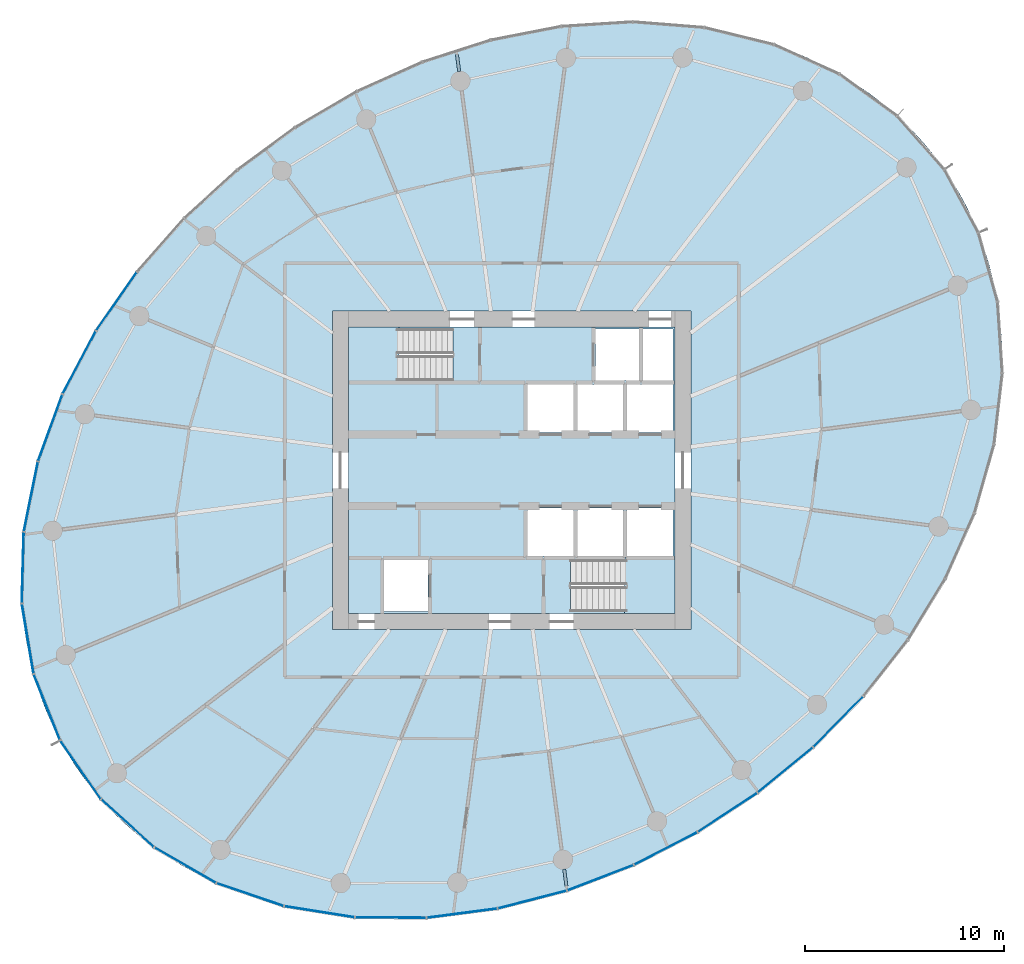
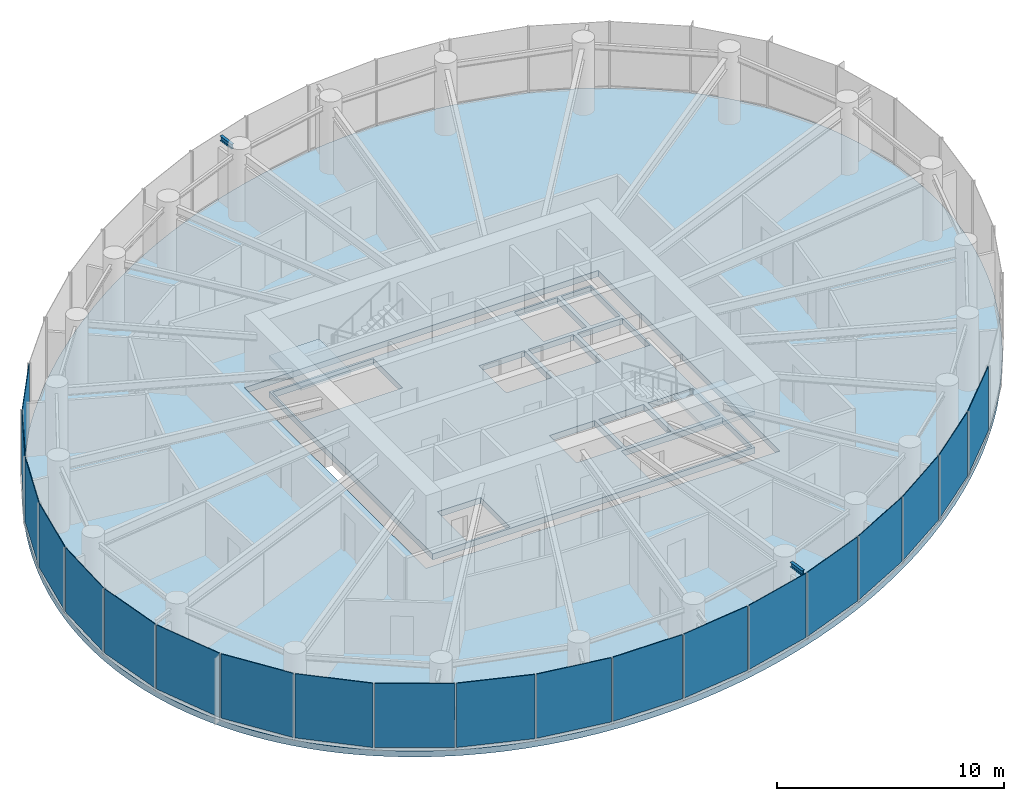
# One storey, part 7 of 14: 20 plates, 4 slabs, 2 beams, 6 elements without a shape of their own.
"""IFC4 building model written with IfcOpenShell, lengths in metres."""

from ifc_helpers import new_model, si_unit, direction, frame, origin, origin_2d, place, context, subcontext, project, spatial, line, indexed_curve, rectangle, i_section, outline, extrude, source, transform, mapped, material, layer, layer_set, material_profile, profile_set, type_object, element, aggregate, save


model = new_model("IFC4")

# Units and contexts
model_context = context("Model", 3, precision=1e-05, world=origin(), true_north=direction((0.0, 1.0)))
body_context = subcontext(model_context, "Body", "Model", "MODEL_VIEW")
ifc_project = project(units=[si_unit("LENGTHUNIT", "METRE"), si_unit("AREAUNIT", "SQUARE_METRE"), si_unit("VOLUMEUNIT", "CUBIC_METRE"), si_unit("PLANEANGLEUNIT", "RADIAN"), si_unit("MASSUNIT", "GRAM", prefix="KILO")], contexts=[model_context])

# Site, building, storey
site_placement = place(None, origin())
site = spatial("IfcSite", under=ifc_project, at=site_placement, CompositionType="ELEMENT")
building_placement = place(site_placement, origin())
building = spatial("IfcBuilding", under=site, at=building_placement, Name="Spindrift Exchange Tower", CompositionType="ELEMENT")
storey_placement = place(building_placement, frame((0.0, 0.0, 152.60009765625)))
storey = spatial("IfcBuildingStorey", under=building, at=storey_placement, Name="L36", CompositionType="ELEMENT", Elevation=152.60009765625)

# Beams
ifc_material_1 = material(Name="Steel Grade 300", Category="steel")
ifc_material_profile = material_profile(ifc_material_1, i_section(OverallWidth=0.14599609375, OverallDepth=0.251953125, WebThickness=0.006103515625, FlangeThickness=0.008544921875, FilletRadius=0.011962890625, at=origin_2d()), Name="250UB31.4")
ifc_profile_set = profile_set([ifc_material_profile], Name="Steel Grade 300")
beam_type = type_object("IfcBeamType", Name="Cantilever Beam 250UB31.4 Steel Grade 300", PredefinedType="BEAM", material=ifc_profile_set)
shared_shape_1 = source(origin(), body_context, "Body", "SweptSolid", [
    extrude(i_section(OverallWidth=0.14599609375, OverallDepth=0.251953125, WebThickness=0.006103515625, FlangeThickness=0.008544921875, FilletRadius=0.011962890625, at=origin_2d()), origin(), (0.0, 0.0, 1.0), 0.859619140625),
])
for number, where, z_axis, x_axis, name in (
    (1, (49.36328125, 68.027099609375, 3.453857421875), (-0.130359005339, 0.991466857604, 0.0), (-0.991466857604, -0.130359005339, 0.0), "L36 cantilever beam R07T"),
    (2, (54.63671875, 27.972900390625, 3.453857421875), (0.130359005339, -0.991466857604, 0.0), (0.991466857604, 0.130359005339, 0.0), "L36 cantilever beam R19T"),
):
    element("IfcBeam", number, at=place(storey_placement, frame(where, z_axis=z_axis, x_axis=x_axis)), inside=storey, type_object=beam_type, Name=name, PredefinedType="BEAM", context=body_context, shape_type="MappedRepresentation", body=[
        mapped(shared_shape_1, transform((0.0, 0.0, 0.0), scale=1.0)),
    ])

# Slabs
ifc_material_2 = material(Name="Concrete 40 MPa", Category="concrete")
ifc_layer_1 = layer(ifc_material_2, 0.320068359375)
ifc_layer_set_1 = layer_set([ifc_layer_1], Name="RC Floor Slab 320 Concrete 40 MPa")
slab_type_1 = type_object("IfcSlabType", Name="RC Floor Slab 320 Concrete 40 MPa", PredefinedType="FLOOR", material=ifc_layer_set_1)
slab_1_placement = place(storey_placement, frame((0.0, 0.0, -0.320068359375)))
element("IfcSlab", 3, at=slab_1_placement, inside=storey, type_object=slab_type_1, Name="Floor slab L36", PredefinedType="FLOOR", context=body_context, shape_type="SweptSolid", body=[
    extrude(outline(indexed_curve([(73.730224609375, 63.10009765625), (73.49169921875, 63.433837890625), (73.244384765625, 63.76123046875), (72.989013671875, 64.08203125), (72.724853515625, 64.396240234375), (72.452880859375, 64.703369140625), (72.173095703125, 65.00341796875), (71.885498046875, 65.2958984375), (71.590576171875, 65.581298828125), (71.288330078125, 65.858642578125), (70.979248046875, 66.12841796875), (70.66357421875, 66.390380859375), (70.34130859375, 66.644287109375), (70.0126953125, 66.890380859375), (69.33837890625, 67.35791015625), (68.642578125, 67.79248046875), (67.927001953125, 68.19384765625), (67.5625, 68.382080078125), (66.821044921875, 68.733642578125), (66.444580078125, 68.89697265625), (65.681884765625, 69.19921875), (64.906982421875, 69.468994140625), (64.515380859375, 69.591796875), (63.725341796875, 69.8134765625), (62.92724609375, 70.00390625), (62.525634765625, 70.087646484375), (61.718017578125, 70.232421875), (61.312255859375, 70.29345703125), (60.497802734375, 70.393798828125), (60.089599609375, 70.433349609375), (59.27099609375, 70.490966796875), (58.861083984375, 70.50927734375), (58.040771484375, 70.52587890625), (57.630615234375, 70.52392578125), (56.810302734375, 70.500732421875), (56.400390625, 70.4794921875), (55.582275390625, 70.418212890625), (55.173828125, 70.378173828125), (54.359130859375, 70.280029296875), (53.5478515625, 70.158203125), (53.143310546875, 70.088623046875), (52.739990234375, 70.013427734375), (51.936767578125, 69.845947265625), (51.138427734375, 69.656494140625), (50.7412109375, 69.5537109375), (50.345458984375, 69.445556640625), (49.558349609375, 69.213623046875), (49.167236328125, 69.08984375), (48.389892578125, 68.827392578125), (47.619384765625, 68.544921875), (47.23681640625, 68.396484375), (46.856201171875, 68.243408203125), (46.10107421875, 67.922607421875), (45.35400390625, 67.583251953125), (44.9833984375, 67.406494140625), (44.615234375, 67.2255859375), (43.8857421875, 66.85009765625), (42.808837890625, 66.25390625), (42.103271484375, 65.835205078125), (41.40771484375, 65.399658203125), (40.384521484375, 64.715576171875), (39.38671875, 63.9951171875), (38.73583984375, 63.495361328125), (38.097412109375, 62.97998046875), (37.1630859375, 62.1787109375), (36.8583984375, 61.904052734375), (36.2587890625, 61.343994140625), (35.673095703125, 60.769287109375), (35.385498046875, 60.4765625), (35.1015625, 60.180419921875), (34.545166015625, 59.577392578125), (34.00390625, 58.96044921875), (33.7392578125, 58.64697265625), (33.22216796875, 58.010009765625), (32.9697265625, 57.686279296875), (32.7216796875, 57.359619140625), (32.238525390625, 56.6962890625), (32.003662109375, 56.360107421875), (31.547607421875, 55.677734375), (31.110595703125, 54.9833984375), (30.8994140625, 54.631591796875), (30.491943359375, 53.919189453125), (30.2958984375, 53.558837890625), (29.919921875, 52.82958984375), (29.739990234375, 52.460693359375), (29.397216796875, 51.71533203125), (29.234375, 51.338623046875), (28.926513671875, 50.578125), (28.78173828125, 50.194091796875), (28.643310546875, 49.80810546875), (28.385498046875, 49.029052734375), (28.266357421875, 48.636474609375), (28.048583984375, 47.84521484375), (27.8583984375, 47.047119140625), (27.7744140625, 46.6455078125), (27.62841796875, 45.838134765625), (27.566650390625, 45.432373046875), (27.466796875, 44.617919921875), (27.428955078125, 44.20947265625), (27.377685546875, 43.390380859375), (27.360107421875, 42.5703125), (27.37744140625, 41.75), (27.3994140625, 41.340087890625), (27.470458984375, 40.522705078125), (27.51953125, 40.115478515625), (27.646240234375, 39.3046875), (27.810791015625, 38.5009765625), (28.013671875, 37.705810546875), (28.129638671875, 37.3125), (28.25537109375, 36.921875), (28.390625, 36.534423828125), (28.535888671875, 36.150634765625), (28.690673828125, 35.770751953125), (28.85498046875, 35.394775390625), (29.029052734375, 35.023193359375), (29.21240234375, 34.65625), (29.405517578125, 34.294189453125), (29.60791015625, 33.9375), (29.8193359375, 33.5859375), (30.0400390625, 33.239990234375), (30.269775390625, 32.89990234375), (30.50830078125, 32.566162109375), (30.755615234375, 32.23876953125), (31.010986328125, 31.91796875), (31.275146484375, 31.603759765625), (31.547119140625, 31.296630859375), (31.826904296875, 30.99658203125), (32.114501953125, 30.7041015625), (32.409423828125, 30.418701171875), (32.711669921875, 30.141357421875), (33.020751953125, 29.87158203125), (33.33642578125, 29.609619140625), (33.65869140625, 29.355712890625), (33.9873046875, 29.109619140625), (34.66162109375, 28.64208984375), (35.357421875, 28.20751953125), (36.072998046875, 27.80615234375), (36.4375, 27.617919921875), (37.178955078125, 27.266357421875), (37.555419921875, 27.10302734375), (38.318115234375, 26.80078125), (39.093017578125, 26.531005859375), (39.484619140625, 26.408203125), (40.274658203125, 26.1865234375), (41.07275390625, 25.99609375), (41.474365234375, 25.912353515625), (42.281982421875, 25.767578125), (42.687744140625, 25.70654296875), (43.502197265625, 25.606201171875), (43.910400390625, 25.566650390625), (44.72900390625, 25.509033203125), (45.138916015625, 25.49072265625), (45.959228515625, 25.47412109375), (46.369384765625, 25.47607421875), (47.189697265625, 25.499267578125), (47.599609375, 25.5205078125), (48.417724609375, 25.581787109375), (48.826171875, 25.621826171875), (49.640869140625, 25.719970703125), (50.4521484375, 25.841796875), (50.856689453125, 25.911376953125), (51.260009765625, 25.986572265625), (52.063232421875, 26.154052734375), (52.861572265625, 26.343505859375), (53.2587890625, 26.4462890625), (53.654541015625, 26.554443359375), (54.441650390625, 26.786376953125), (54.832763671875, 26.91015625), (55.610107421875, 27.172607421875), (56.380615234375, 27.455078125), (56.76318359375, 27.603515625), (57.143798828125, 27.756591796875), (57.89892578125, 28.077392578125), (58.64599609375, 28.416748046875), (59.0166015625, 28.593505859375), (59.384765625, 28.7744140625), (60.1142578125, 29.14990234375), (61.191162109375, 29.74609375), (61.896728515625, 30.164794921875), (62.59228515625, 30.600341796875), (63.615478515625, 31.284423828125), (64.61328125, 32.0048828125), (65.26416015625, 32.504638671875), (65.902587890625, 33.02001953125), (66.8369140625, 33.8212890625), (67.1416015625, 34.095947265625), (67.7412109375, 34.656005859375), (68.326904296875, 35.230712890625), (68.614501953125, 35.5234375), (68.8984375, 35.819580078125), (69.454833984375, 36.422607421875), (69.99609375, 37.03955078125), (70.2607421875, 37.35302734375), (70.77783203125, 37.989990234375), (71.0302734375, 38.313720703125), (71.2783203125, 38.640380859375), (71.761474609375, 39.3037109375), (71.996337890625, 39.639892578125), (72.452392578125, 40.322265625), (72.889404296875, 41.0166015625), (73.1005859375, 41.368408203125), (73.508056640625, 42.080810546875), (73.7041015625, 42.441162109375), (74.080078125, 43.17041015625), (74.260009765625, 43.539306640625), (74.602783203125, 44.28466796875), (74.765625, 44.661376953125), (75.073486328125, 45.421875), (75.21826171875, 45.805908203125), (75.356689453125, 46.19189453125), (75.614501953125, 46.970947265625), (75.733642578125, 47.363525390625), (75.951416015625, 48.15478515625), (76.1416015625, 48.952880859375), (76.2255859375, 49.3544921875), (76.37158203125, 50.161865234375), (76.433349609375, 50.567626953125), (76.533203125, 51.382080078125), (76.571044921875, 51.79052734375), (76.622314453125, 52.609619140625), (76.639892578125, 53.4296875), (76.62255859375, 54.25), (76.6005859375, 54.659912109375), (76.529541015625, 55.477294921875), (76.48046875, 55.884521484375), (76.353759765625, 56.6953125), (76.189208984375, 57.4990234375), (75.986328125, 58.294189453125), (75.870361328125, 58.6875), (75.74462890625, 59.078125), (75.609375, 59.465576171875), (75.464111328125, 59.849365234375), (75.309326171875, 60.229248046875), (75.14501953125, 60.605224609375), (74.970947265625, 60.976806640625), (74.78759765625, 61.34375), (74.594482421875, 61.705810546875), (74.39208984375, 62.0625), (74.1806640625, 62.4140625), (73.9599609375, 62.760009765625)], segments=[line(1, 2, 3, 4, 5, 6, 7, 8, 9, 10, 11, 12, 13, 14, 15, 16, 17, 18, 19, 20, 21, 22, 23, 24, 25, 26, 27, 28, 29, 30, 31, 32, 33, 34, 35, 36, 37, 38, 39, 40, 41, 42, 43, 44, 45, 46, 47, 48, 49, 50, 51, 52, 53, 54, 55, 56, 57, 58, 59, 60, 61, 62, 63, 64, 65, 66, 67, 68, 69, 70, 71, 72, 73, 74, 75, 76, 77, 78, 79, 80, 81, 82, 83, 84, 85, 86, 87, 88, 89, 90, 91, 92, 93, 94, 95, 96, 97, 98, 99, 100, 101, 102, 103, 104, 105, 106, 107, 108, 109, 110, 111, 112, 113, 114, 115, 116, 117, 118, 119, 120, 121, 122, 123, 124, 125, 126, 127, 128, 129, 130, 131, 132, 133, 134, 135, 136, 137, 138, 139, 140, 141, 142, 143, 144, 145, 146, 147, 148, 149, 150, 151, 152, 153, 154, 155, 156, 157, 158, 159, 160, 161, 162, 163, 164, 165, 166, 167, 168, 169, 170, 171, 172, 173, 174, 175, 176, 177, 178, 179, 180, 181, 182, 183, 184, 185, 186, 187, 188, 189, 190, 191, 192, 193, 194, 195, 196, 197, 198, 199, 200, 201, 202, 203, 204, 205, 206, 207, 208, 209, 210, 211, 212, 213, 214, 215, 216, 217, 218, 219, 220, 221, 222, 223, 224, 225, 226, 227, 228, 229, 230, 231, 232, 233, 234, 235, 236, 237, 238, 239, 240, 1)], self_intersect=False), holes=[indexed_curve([(43.0, 40.0), (61.0, 40.0), (61.0, 56.0), (43.0, 56.0)], segments=[line(1, 2, 3, 4, 1)], self_intersect=False)]), origin(), (0.0, 0.0, 1.0), 0.320068359375),
])
ifc_material_3 = material(Name="Concrete 50 MPa", Category="concrete")
ifc_layer_2 = layer(ifc_material_3, 0.320068359375)
ifc_layer_set_2 = layer_set([ifc_layer_2], Name="SL-CORE-FLOOR-320")
slab_type_2 = type_object("IfcSlabType", Name="SL-CORE-FLOOR-320", PredefinedType="FLOOR", material=ifc_layer_set_2)
slab_2_placement = place(storey_placement, frame((0.0, 0.0, -0.320068359375)))
element("IfcSlab", 4, at=slab_2_placement, inside=storey, type_object=slab_type_2, Name="L36 Core floor slab", PredefinedType="FLOOR", context=body_context, shape_type="SweptSolid", body=[
    extrude(outline(indexed_curve([(43.800048828125, 40.800048828125), (43.800048828125, 55.199951171875), (60.199951171875, 55.199951171875), (60.199951171875, 40.800048828125)], segments=[line(1, 2, 3, 4, 1)], self_intersect=False), holes=[indexed_curve([(45.60009765625, 43.5), (45.60009765625, 40.89990234375), (47.800048828125, 40.89990234375), (47.800048828125, 43.5)], segments=[line(1, 2, 3, 4, 1)], self_intersect=False), indexed_curve([(52.800048828125, 46.10009765625), (52.800048828125, 43.699951171875), (55.10009765625, 43.699951171875), (55.10009765625, 46.10009765625)], segments=[line(1, 2, 3, 4, 1)], self_intersect=False), indexed_curve([(55.300048828125, 46.10009765625), (55.300048828125, 43.699951171875), (57.60009765625, 43.699951171875), (57.60009765625, 46.10009765625)], segments=[line(1, 2, 3, 4, 1)], self_intersect=False), indexed_curve([(55.10009765625, 52.300048828125), (52.800048828125, 52.300048828125), (52.800048828125, 49.89990234375), (55.10009765625, 49.89990234375)], segments=[line(1, 2, 3, 4, 1)], self_intersect=False), indexed_curve([(57.60009765625, 52.300048828125), (55.300048828125, 52.300048828125), (55.300048828125, 49.89990234375), (57.60009765625, 49.89990234375)], segments=[line(1, 2, 3, 4, 1)], self_intersect=False), indexed_curve([(43.906005859375, 52.506103515625), (49.0439453125, 52.506103515625), (49.0439453125, 55.093994140625), (43.906005859375, 55.093994140625)], segments=[line(1, 2, 3, 4, 1)], self_intersect=False), indexed_curve([(60.093994140625, 40.906005859375), (60.093994140625, 43.493896484375), (54.9560546875, 43.493896484375), (54.9560546875, 40.906005859375)], segments=[line(1, 2, 3, 4, 1)], self_intersect=False), indexed_curve([(60.10009765625, 46.10009765625), (57.800048828125, 46.10009765625), (57.800048828125, 43.699951171875), (60.10009765625, 43.699951171875)], segments=[line(1, 2, 3, 4, 1)], self_intersect=False), indexed_curve([(57.800048828125, 52.300048828125), (57.800048828125, 49.89990234375), (60.10009765625, 49.89990234375), (60.10009765625, 52.300048828125)], segments=[line(1, 2, 3, 4, 1)], self_intersect=False), indexed_curve([(58.39990234375, 55.10009765625), (56.199951171875, 55.10009765625), (56.199951171875, 52.5), (58.39990234375, 52.5)], segments=[line(1, 2, 3, 4, 1)], self_intersect=False), indexed_curve([(60.10009765625, 55.10009765625), (58.60009765625, 55.10009765625), (58.60009765625, 52.5), (60.10009765625, 52.5)], segments=[line(1, 2, 3, 4, 1)], self_intersect=False)]), origin(), (0.0, 0.0, 1.0), 0.320068359375),
])

# Stair, slab
stair_type = type_object("IfcStairType", Name="ST-1250-R177", PredefinedType="HALF_TURN_STAIR", material=ifc_material_3)
stair_1_placement = place(storey_placement, origin())
stair_1 = element("IfcStair", 5, at=stair_1_placement, inside=storey, type_object=stair_type, Name="L36 Exit stair ST1", PredefinedType="HALF_TURN_STAIR")
ifc_layer_3 = layer(ifc_material_3, 0.199951171875)
ifc_layer_set_3 = layer_set([ifc_layer_3], Name="SL-LANDING")
slab_type_3 = type_object("IfcSlabType", Name="SL-LANDING", PredefinedType="LANDING", material=ifc_layer_set_3)
slab_3_placement = place(storey_placement, frame((0.0, 0.0, 1.75)))
slab_3 = element("IfcSlab", 6, at=slab_3_placement, type_object=slab_type_3, Name="ST1 landing 1", PredefinedType="LANDING", context=body_context, shape_type="SweptSolid", body=[
    extrude(outline(indexed_curve([(46.330078125, 52.39990234375), (43.800048828125, 52.39990234375), (43.800048828125, 55.199951171875), (46.330078125, 55.199951171875)], segments=[line(1, 2, 3, 4, 1)], self_intersect=False)), origin(), (0.0, 0.0, 1.0), 0.199951171875),
])
aggregate(stair_1, [slab_3])

stair_2_placement = place(storey_placement, origin())
stair_2 = element("IfcStair", 7, at=stair_2_placement, inside=storey, type_object=stair_type, Name="L36 Exit stair ST2", PredefinedType="HALF_TURN_STAIR")
slab_4_placement = place(storey_placement, frame((0.0, 0.0, 1.75)))
slab_4 = element("IfcSlab", 8, at=slab_4_placement, type_object=slab_type_3, Name="ST2 landing 1", PredefinedType="LANDING", context=body_context, shape_type="SweptSolid", body=[
    extrude(outline(indexed_curve([(57.669921875, 43.60009765625), (60.199951171875, 43.60009765625), (60.199951171875, 40.800048828125), (57.669921875, 40.800048828125)], segments=[line(1, 2, 3, 4, 1)], self_intersect=False)), origin(), (0.0, 0.0, 1.0), 0.199951171875),
])
aggregate(stair_2, [slab_4])

# Curtain wall, plate
ifc_material_4 = material(Name="Fritted laminated glass with bronze frame", Category="glass")
ifc_layer_4 = layer(ifc_material_4, 0.179931640625)
ifc_layer_set_4 = layer_set([ifc_layer_4], Name="ZONE 3 BRONZE FRITTED WALL")
curtain_wall_type = type_object("IfcCurtainWallType", Name="ZONE 3 BRONZE FRITTED WALL", PredefinedType="NOTDEFINED", material=ifc_layer_set_4)
curtain_wall_1_placement = place(storey_placement, origin())
curtain_wall_1 = element("IfcCurtainWall", 9, at=curtain_wall_1_placement, inside=storey, type_object=curtain_wall_type, Name="L36 Zone 3 Bronze Fritted Wall run 3", PredefinedType="NOTDEFINED")
ifc_material_5 = material(Name="Bronze fritted laminated glass, open frit", Category="glass")
ifc_layer_5 = layer(ifc_material_5, 0.031982421875)
ifc_layer_set_5 = layer_set([ifc_layer_5], Name="ZONE 3 BRONZE FRITTED WALL PANEL OPEN FRIT 360")
plate_type_1 = type_object("IfcPlateType", Name="ZONE 3 BRONZE FRITTED WALL PANEL OPEN FRIT 360", PredefinedType="CURTAIN_PANEL", material=ifc_layer_set_5)
shared_shape_2 = source(origin(), body_context, "Body", "SweptSolid", [
    extrude(rectangle(XDim=3.530517578125, YDim=0.031982421875, at=origin_2d()), origin(), (0.0, 0.0, 1.0), 3.449951171875),
])
plate_1_placement = place(storey_placement, frame((32.155517578125, 56.48583984375, 0.1298828125), z_axis=(0.0, 0.0, 1.0), x_axis=(-0.571790823965, -0.820399447604, 0.0)))
plate_1 = element("IfcPlate", 10, at=plate_1_placement, type_object=plate_type_1, Name="L36 panel CW-3.14", PredefinedType="CURTAIN_PANEL", context=body_context, shape_type="MappedRepresentation", body=[
    mapped(shared_shape_2, transform((0.0, 0.0, 0.0), scale=1.0)),
])

# Curtain wall, plates
curtain_wall_2_placement = place(storey_placement, origin())
curtain_wall_2 = element("IfcCurtainWall", 11, at=curtain_wall_2_placement, inside=storey, type_object=curtain_wall_type, Name="L36 Zone 3 Bronze Fritted Wall run 5", PredefinedType="NOTDEFINED")
plate_2_placement = place(storey_placement, frame((53.032470703125, 26.44189453125, 0.1298828125), z_axis=(0.0, 0.0, 1.0), x_axis=(0.968298664298, 0.249795309643, 0.0)))
plate_2 = element("IfcPlate", 12, at=plate_2_placement, type_object=plate_type_1, Name="L36 panel CW-3.28", PredefinedType="CURTAIN_PANEL", context=body_context, shape_type="MappedRepresentation", body=[
    mapped(shared_shape_2, transform((0.0, 0.0, 0.0), scale=1.0)),
])
ifc_layer_6 = layer(ifc_material_5, 0.031982421875)
ifc_layer_set_6 = layer_set([ifc_layer_6], Name="ZONE 3 BRONZE FRITTED WALL PANEL OPEN FRIT 600")
plate_type_2 = type_object("IfcPlateType", Name="ZONE 3 BRONZE FRITTED WALL PANEL OPEN FRIT 600", PredefinedType="CURTAIN_PANEL", material=ifc_layer_set_6)
shared_shape_3 = source(origin(), body_context, "Body", "SweptSolid", [
    extrude(rectangle(XDim=3.53076171875, YDim=0.031982421875, at=origin_2d()), origin(), (0.0, 0.0, 1.0), 3.449951171875),
])
plate_3_placement = place(storey_placement, frame((56.456298828125, 27.537353515625, 0.1298828125), z_axis=(0.0, 0.0, 1.0), x_axis=(0.93346967375, 0.358656337166, 0.0)))
plate_3 = element("IfcPlate", 13, at=plate_3_placement, type_object=plate_type_2, Name="L36 panel CW-3.29", PredefinedType="CURTAIN_PANEL", context=body_context, shape_type="MappedRepresentation", body=[
    mapped(shared_shape_3, transform((0.0, 0.0, 0.0), scale=1.0)),
])
plate_4_placement = place(storey_placement, frame((59.737548828125, 29.007080078125, 0.1298828125), z_axis=(0.0, 0.0, 1.0), x_axis=(0.889077069424, 0.457757539123, 0.0)))
plate_4 = element("IfcPlate", 14, at=plate_4_placement, type_object=plate_type_2, Name="L36 panel CW-3.30", PredefinedType="CURTAIN_PANEL", context=body_context, shape_type="MappedRepresentation", body=[
    mapped(shared_shape_3, transform((0.0, 0.0, 0.0), scale=1.0)),
])

curtain_wall_3_placement = place(storey_placement, origin())
curtain_wall_3 = element("IfcCurtainWall", 15, at=curtain_wall_3_placement, inside=storey, type_object=curtain_wall_type, Name="L36 Zone 3 Bronze Fritted Wall run 6", PredefinedType="NOTDEFINED")
shared_shape_4 = source(origin(), body_context, "Body", "SweptSolid", [
    extrude(rectangle(XDim=3.531005859375, YDim=0.031982421875, at=origin_2d()), origin(), (0.0, 0.0, 1.0), 3.449951171875),
])
plate_5_placement = place(storey_placement, frame((62.84326171875, 30.819580078125, 0.1298828125), z_axis=(0.0, 0.0, 1.0), x_axis=(0.835875388967, 0.548919241891, 0.0)))
plate_5 = element("IfcPlate", 16, at=plate_5_placement, type_object=plate_type_2, Name="L36 panel CW-3.31", PredefinedType="CURTAIN_PANEL", context=body_context, shape_type="MappedRepresentation", body=[
    mapped(shared_shape_4, transform((0.0, 0.0, 0.0), scale=1.0)),
])
shared_shape_5 = source(origin(), body_context, "Body", "SweptSolid", [
    extrude(rectangle(XDim=3.53076171875, YDim=0.031982421875, at=origin_2d()), origin(), (0.0, 0.0, 1.0), 3.449951171875),
])
plate_6_placement = place(storey_placement, frame((68.397705078125, 35.37158203125, 0.1298828125), z_axis=(0.0, 0.0, 1.0), x_axis=(0.701796304314, 0.71237767178, 0.0)))
plate_6 = element("IfcPlate", 17, at=plate_6_placement, type_object=plate_type_1, Name="L36 panel CW-3.33", PredefinedType="CURTAIN_PANEL", context=body_context, shape_type="MappedRepresentation", body=[
    mapped(shared_shape_5, transform((0.0, 0.0, 0.0), scale=1.0)),
])

curtain_wall_4_placement = place(storey_placement, origin())
curtain_wall_4 = element("IfcCurtainWall", 18, at=curtain_wall_4_placement, inside=storey, type_object=curtain_wall_type, Name="L36 Zone 3 Bronze Fritted Wall run 4", PredefinedType="NOTDEFINED")
shared_shape_6 = source(origin(), body_context, "Body", "SweptSolid", [
    extrude(rectangle(XDim=3.527587890625, YDim=0.031982421875, at=origin_2d()), origin(), (0.0, 0.0, 1.0), 3.449951171875),
])
plate_7_placement = place(storey_placement, frame((38.86328125, 26.69384765625, 0.1298828125), z_axis=(0.0, 0.0, 1.0), x_axis=(0.946458984013, -0.322824087673, 0.0)))
plate_7 = element("IfcPlate", 19, at=plate_7_placement, type_object=plate_type_1, Name="L36 panel CW-3.24", PredefinedType="CURTAIN_PANEL", context=body_context, shape_type="MappedRepresentation", body=[
    mapped(shared_shape_6, transform((0.0, 0.0, 0.0), scale=1.0)),
])
shared_shape_7 = source(origin(), body_context, "Body", "SweptSolid", [
    extrude(rectangle(XDim=3.525146484375, YDim=0.031982421875, at=origin_2d()), origin(), (0.0, 0.0, 1.0), 3.449951171875),
])
plate_8_placement = place(storey_placement, frame((28.662109375, 36.104248046875, 0.1298828125), z_axis=(0.0, 0.0, 1.0), x_axis=(0.371089090503, -0.928597268416, 0.0)))
plate_8 = element("IfcPlate", 20, at=plate_8_placement, type_object=plate_type_2, Name="L36 panel CW-3.20", PredefinedType="CURTAIN_PANEL", context=body_context, shape_type="MappedRepresentation", body=[
    mapped(shared_shape_7, transform((0.0, 0.0, 0.0), scale=1.0)),
])

# Plate
shared_shape_8 = source(origin(), body_context, "Body", "SweptSolid", [
    extrude(rectangle(XDim=3.527587890625, YDim=0.031982421875, at=origin_2d()), origin(), (0.0, 0.0, 1.0), 3.449951171875),
])
plate_9_placement = place(storey_placement, frame((27.4501953125, 43.118408203125, 0.1298828125), z_axis=(0.0, 0.0, 1.0), x_axis=(-0.02754653728, -0.99962052214, 0.0)))
plate_9 = element("IfcPlate", 21, at=plate_9_placement, type_object=plate_type_2, Name="L36 panel CW-3.18", PredefinedType="CURTAIN_PANEL", context=body_context, shape_type="MappedRepresentation", body=[
    mapped(shared_shape_8, transform((0.0, 0.0, 0.0), scale=1.0)),
])

shared_shape_9 = source(origin(), body_context, "Body", "SweptSolid", [
    extrude(rectangle(XDim=3.530029296875, YDim=0.031982421875, at=origin_2d()), origin(), (0.0, 0.0, 1.0), 3.449951171875),
])
plate_10_placement = place(storey_placement, frame((30.2861328125, 53.4169921875, 0.1298828125), z_axis=(0.0, 0.0, 1.0), x_axis=(-0.466738609196, -0.884395313582, 0.0)))
plate_10 = element("IfcPlate", 22, at=plate_10_placement, type_object=plate_type_2, Name="L36 panel CW-3.15", PredefinedType="CURTAIN_PANEL", context=body_context, shape_type="MappedRepresentation", body=[
    mapped(shared_shape_9, transform((0.0, 0.0, 0.0), scale=1.0)),
])

ifc_layer_7 = layer(ifc_material_5, 0.031982421875)
ifc_layer_set_7 = layer_set([ifc_layer_7], Name="ZONE 3 BRONZE FRITTED WALL PANEL OPEN FRIT 480")
plate_type_3 = type_object("IfcPlateType", Name="ZONE 3 BRONZE FRITTED WALL PANEL OPEN FRIT 480", PredefinedType="CURTAIN_PANEL", material=ifc_layer_set_7)
shared_shape_10 = source(origin(), body_context, "Body", "SweptSolid", [
    extrude(rectangle(XDim=3.531005859375, YDim=0.031982421875, at=origin_2d()), origin(), (0.0, 0.0, 1.0), 3.449951171875),
])
plate_11_placement = place(storey_placement, frame((65.7412109375, 32.948486328125, 0.1298828125), z_axis=(0.0, 0.0, 1.0), x_axis=(0.773741814614, 0.633501068916, 0.0)))
plate_11 = element("IfcPlate", 23, at=plate_11_placement, type_object=plate_type_3, Name="L36 panel CW-3.32", PredefinedType="CURTAIN_PANEL", context=body_context, shape_type="MappedRepresentation", body=[
    mapped(shared_shape_10, transform((0.0, 0.0, 0.0), scale=1.0)),
])

aggregate(curtain_wall_3, [plate_5, plate_11, plate_6])

shared_shape_11 = source(origin(), body_context, "Body", "SweptSolid", [
    extrude(rectangle(XDim=3.530029296875, YDim=0.031982421875, at=origin_2d()), origin(), (0.0, 0.0, 1.0), 3.449951171875),
])
plate_12_placement = place(storey_placement, frame((49.50439453125, 25.760009765625, 0.1298828125), z_axis=(0.0, 0.0, 1.0), x_axis=(0.991644390899, 0.129001558128, 0.0)))
plate_12 = element("IfcPlate", 24, at=plate_12_placement, type_object=plate_type_3, Name="L36 panel CW-3.27", PredefinedType="CURTAIN_PANEL", context=body_context, shape_type="MappedRepresentation", body=[
    mapped(shared_shape_11, transform((0.0, 0.0, 0.0), scale=1.0)),
])

shared_shape_12 = source(origin(), body_context, "Body", "SweptSolid", [
    extrude(rectangle(XDim=3.525146484375, YDim=0.031982421875, at=origin_2d()), origin(), (0.0, 0.0, 1.0), 3.449951171875),
])
plate_13_placement = place(storey_placement, frame((32.7119140625, 30.27587890625, 0.1298828125), z_axis=(0.0, 0.0, 1.0), x_axis=(0.740862039884, -0.671657232418, 0.0)))
plate_13 = element("IfcPlate", 25, at=plate_13_placement, type_object=plate_type_1, Name="L36 panel CW-3.22", PredefinedType="CURTAIN_PANEL", context=body_context, shape_type="MappedRepresentation", body=[
    mapped(shared_shape_12, transform((0.0, 0.0, 0.0), scale=1.0)),
])

shared_shape_13 = source(origin(), body_context, "Body", "SweptSolid", [
    extrude(rectangle(XDim=3.524658203125, YDim=0.031982421875, at=origin_2d()), origin(), (0.0, 0.0, 1.0), 3.449951171875),
])
plate_14_placement = place(storey_placement, frame((30.3544921875, 32.958984375, 0.1298828125), z_axis=(0.0, 0.0, 1.0), x_axis=(0.57065337277, -0.821191042417, 0.0)))
plate_14 = element("IfcPlate", 26, at=plate_14_placement, type_object=plate_type_3, Name="L36 panel CW-3.21", PredefinedType="CURTAIN_PANEL", context=body_context, shape_type="MappedRepresentation", body=[
    mapped(shared_shape_13, transform((0.0, 0.0, 0.0), scale=1.0)),
])

shared_shape_14 = source(origin(), body_context, "Body", "SweptSolid", [
    extrude(rectangle(XDim=3.529541015625, YDim=0.031982421875, at=origin_2d()), origin(), (0.0, 0.0, 1.0), 3.449951171875),
])
plate_15_placement = place(storey_placement, frame((28.828369140625, 50.134765625, 0.1298828125), z_axis=(0.0, 0.0, 1.0), x_axis=(-0.343161381521, -0.939276458894, 0.0)))
plate_15 = element("IfcPlate", 27, at=plate_15_placement, type_object=plate_type_1, Name="L36 panel CW-3.16", PredefinedType="CURTAIN_PANEL", context=body_context, shape_type="MappedRepresentation", body=[
    mapped(shared_shape_14, transform((0.0, 0.0, 0.0), scale=1.0)),
])

plate_16_placement = place(storey_placement, frame((45.919677734375, 25.53857421875, 0.1298828125), z_axis=(0.0, 0.0, 1.0), x_axis=(0.999982330968, -0.005944556421, 0.0)))
plate_16 = element("IfcPlate", 28, at=plate_16_placement, type_object=plate_type_1, Name="L36 panel CW-3.26", PredefinedType="CURTAIN_PANEL", context=body_context, shape_type="MappedRepresentation", body=[
    mapped(shared_shape_14, transform((0.0, 0.0, 0.0), scale=1.0)),
])

shared_shape_15 = source(origin(), body_context, "Body", "SweptSolid", [
    extrude(rectangle(XDim=3.526123046875, YDim=0.031982421875, at=origin_2d()), origin(), (0.0, 0.0, 1.0), 3.449951171875),
])
plate_17_placement = place(storey_placement, frame((27.69775390625, 39.546875, 0.1298828125), z_axis=(0.0, 0.0, 1.0), x_axis=(0.165255890745, -0.986250723992, 0.0)))
plate_17 = element("IfcPlate", 29, at=plate_17_placement, type_object=plate_type_1, Name="L36 panel CW-3.19", PredefinedType="CURTAIN_PANEL", context=body_context, shape_type="MappedRepresentation", body=[
    mapped(shared_shape_15, transform((0.0, 0.0, 0.0), scale=1.0)),
])

plate_18_placement = place(storey_placement, frame((35.602294921875, 28.17138671875, 0.1298828125), z_axis=(0.0, 0.0, 1.0), x_axis=(0.866715726567, -0.498802415112, 0.0)))
plate_18 = element("IfcPlate", 30, at=plate_18_placement, type_object=plate_type_1, Name="L36 panel CW-3.23", PredefinedType="CURTAIN_PANEL", context=body_context, shape_type="MappedRepresentation", body=[
    mapped(shared_shape_15, transform((0.0, 0.0, 0.0), scale=1.0)),
])

aggregate(curtain_wall_4, [plate_17, plate_8, plate_14, plate_13, plate_18, plate_7])

shared_shape_16 = source(origin(), body_context, "Body", "SweptSolid", [
    extrude(rectangle(XDim=3.52880859375, YDim=0.031982421875, at=origin_2d()), origin(), (0.0, 0.0, 1.0), 3.449951171875),
])
plate_19_placement = place(storey_placement, frame((27.855224609375, 46.680419921875, 0.1298828125), z_axis=(0.0, 0.0, 1.0), x_axis=(-0.197570083902, -0.980288764572, 0.0)))
plate_19 = element("IfcPlate", 31, at=plate_19_placement, type_object=plate_type_3, Name="L36 panel CW-3.17", PredefinedType="CURTAIN_PANEL", context=body_context, shape_type="MappedRepresentation", body=[
    mapped(shared_shape_16, transform((0.0, 0.0, 0.0), scale=1.0)),
])

aggregate(curtain_wall_1, [plate_1, plate_10, plate_15, plate_19, plate_9])

plate_20_placement = place(storey_placement, frame((42.3427734375, 25.831298828125, 0.1298828125), z_axis=(0.0, 0.0, 1.0), x_axis=(0.987646531845, -0.156698207187, 0.0)))
plate_20 = element("IfcPlate", 32, at=plate_20_placement, type_object=plate_type_3, Name="L36 panel CW-3.25", PredefinedType="CURTAIN_PANEL", context=body_context, shape_type="MappedRepresentation", body=[
    mapped(shared_shape_16, transform((0.0, 0.0, 0.0), scale=1.0)),
])

aggregate(curtain_wall_2, [plate_20, plate_16, plate_12, plate_2, plate_3, plate_4])

save(model, "model.ifc")
